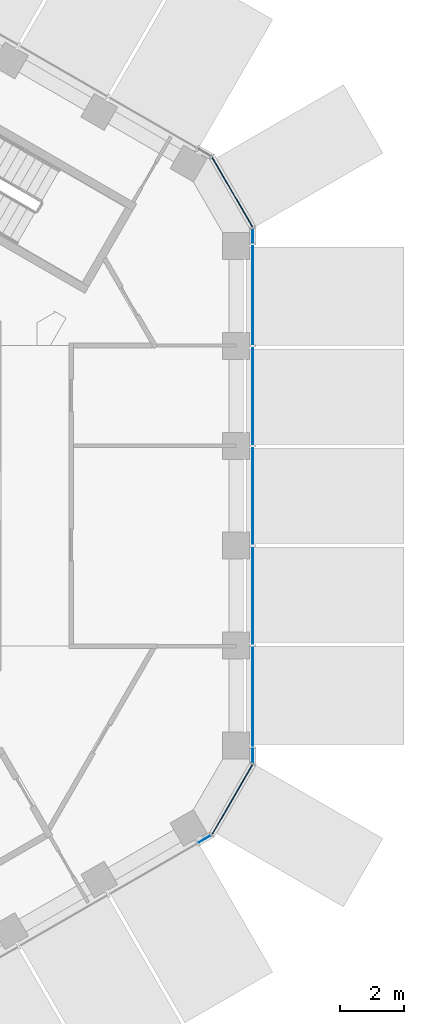
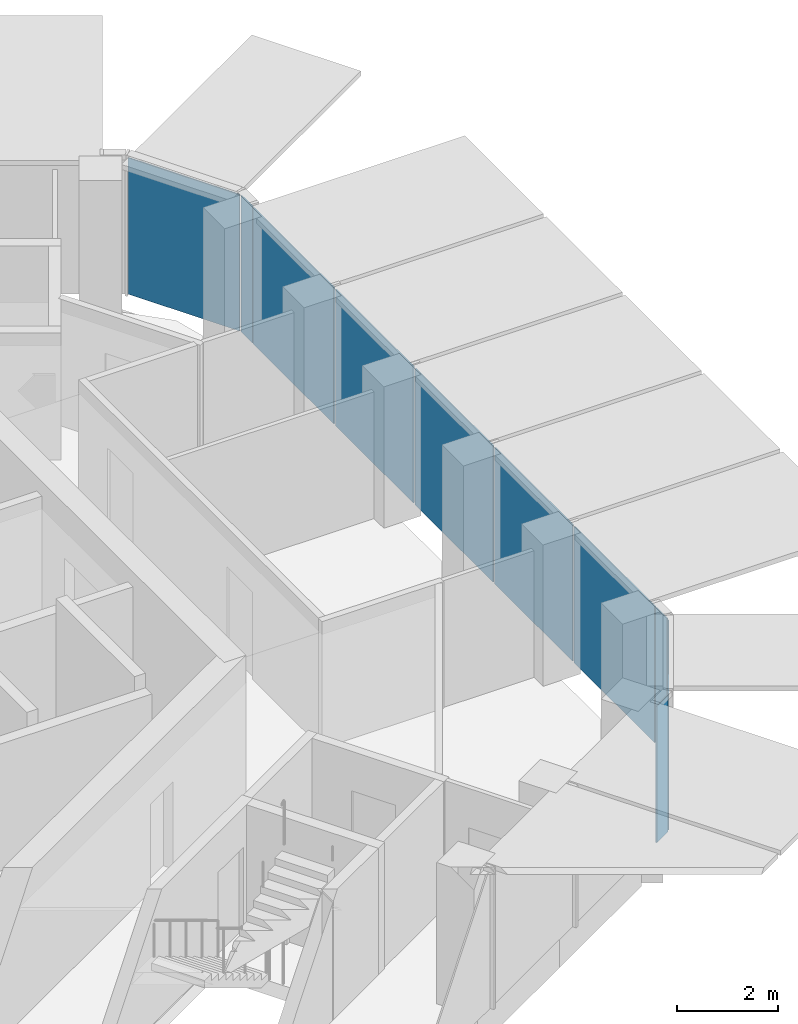
# One storey, part 10 of 17: 10 plates, 3 elements without a shape of their own.
"""IFC4 building model written with IfcOpenShell, lengths in metres."""

from ifc_helpers import new_model, si_unit, direction, frame, origin, origin_2d, place, context, subcontext, project, spatial, rectangle, extrude, material, layer, layer_set, type_object, element, aggregate, save


model = new_model("IFC4")

# Units and contexts
model_context = context("Model", 3, precision=1e-05, world=origin(), true_north=direction((0.0, 1.0)))
body_context = subcontext(model_context, "Body", "Model", "MODEL_VIEW")
ifc_project = project(units=[si_unit("LENGTHUNIT", "METRE"), si_unit("AREAUNIT", "SQUARE_METRE"), si_unit("VOLUMEUNIT", "CUBIC_METRE"), si_unit("PLANEANGLEUNIT", "RADIAN"), si_unit("MASSUNIT", "GRAM", prefix="KILO")], contexts=[model_context])

# Site, building, storey
site_placement = place(None, origin())
site = spatial("IfcSite", under=ifc_project, at=site_placement, CompositionType="ELEMENT")
building_placement = place(site_placement, origin())
building = spatial("IfcBuilding", under=site, at=building_placement, Name="Ayvan Gate Tower", CompositionType="ELEMENT")
storey_placement = place(building_placement, frame((0.0, 0.0, 225.699951171875)))
storey = spatial("IfcBuildingStorey", under=building, at=storey_placement, Name="L60", CompositionType="ELEMENT", Elevation=225.699951171875)

# Curtain wall, plates
ifc_material_1 = material(Name="Bronze anodised aluminium", Category="aluminium")
ifc_layer_1 = layer(ifc_material_1, 0.199951171875)
ifc_layer_set_1 = layer_set([ifc_layer_1], Name="Bronze anodised aluminium")
curtain_wall_type_1 = type_object("IfcCurtainWallType", Name="Stick curtain wall CW-2", PredefinedType="NOTDEFINED", material=ifc_layer_set_1)
curtain_wall_1_placement = place(storey_placement, origin())
curtain_wall_1 = element("IfcCurtainWall", 1, at=curtain_wall_1_placement, inside=storey, type_object=curtain_wall_type_1, Name="Stick curtain wall CW-2 L60", PredefinedType="NOTDEFINED")
ifc_material_2 = material(Name="Clear low-iron laminated glass", Category="glass")
ifc_layer_2 = layer(ifc_material_2, 0.028076171875)
ifc_layer_set_2 = layer_set([ifc_layer_2], Name="Clear low-iron laminated glass")
plate_type_1 = type_object("IfcPlateType", Name="Stick curtain wall CW-2 glass panel", PredefinedType="CURTAIN_PANEL", material=ifc_layer_set_2)
plate_1_placement = place(storey_placement, frame((17.41259765625, -6.3291015625, 0.0), z_axis=(0.0, 0.0, 1.0), x_axis=(0.0, 1.0, 0.0)))
plate_1 = element("IfcPlate", 2, at=plate_1_placement, type_object=plate_type_1, Name="CW-2 glass panel 1", PredefinedType="CURTAIN_PANEL", context=body_context, shape_type="SweptSolid", body=[
    extrude(rectangle(XDim=3.172119140625, YDim=0.028076171875, at=origin_2d()), origin(), (0.0, 0.0, 1.0), 3.280029296875),
])
plate_2_placement = place(storey_placement, frame((17.41259765625, -3.138427734375, 0.0), z_axis=(0.0, 0.0, 1.0), x_axis=(0.0, 1.0, 0.0)))
plate_2 = element("IfcPlate", 3, at=plate_2_placement, type_object=plate_type_1, Name="CW-2 glass panel 2", PredefinedType="CURTAIN_PANEL", context=body_context, shape_type="SweptSolid", body=[
    extrude(rectangle(XDim=3.069091796875, YDim=0.028076171875, at=origin_2d()), origin(), (0.0, 0.0, 1.0), 3.280029296875),
])
plate_3_placement = place(storey_placement, frame((17.41259765625, 0.0, 0.0), z_axis=(0.0, 0.0, 1.0), x_axis=(0.0, 1.0, 0.0)))
plate_3 = element("IfcPlate", 4, at=plate_3_placement, type_object=plate_type_1, Name="CW-2 glass panel 3", PredefinedType="CURTAIN_PANEL", context=body_context, shape_type="SweptSolid", body=[
    extrude(rectangle(XDim=3.068115234375, YDim=0.028076171875, at=origin_2d()), origin(), (0.0, 0.0, 1.0), 3.280029296875),
])
plate_4_placement = place(storey_placement, frame((17.41259765625, 3.138427734375, 0.0), z_axis=(0.0, 0.0, 1.0), x_axis=(0.0, 1.0, 0.0)))
plate_4 = element("IfcPlate", 5, at=plate_4_placement, type_object=plate_type_1, Name="CW-2 glass panel 4", PredefinedType="CURTAIN_PANEL", context=body_context, shape_type="SweptSolid", body=[
    extrude(rectangle(XDim=3.069091796875, YDim=0.028076171875, at=origin_2d()), origin(), (0.0, 0.0, 1.0), 3.280029296875),
])
plate_5_placement = place(storey_placement, frame((17.41259765625, 6.3291015625, 0.0), z_axis=(0.0, 0.0, 1.0), x_axis=(0.0, 1.0, 0.0)))
plate_5 = element("IfcPlate", 6, at=plate_5_placement, type_object=plate_type_1, Name="CW-2 glass panel 5", PredefinedType="CURTAIN_PANEL", context=body_context, shape_type="SweptSolid", body=[
    extrude(rectangle(XDim=3.172119140625, YDim=0.028076171875, at=origin_2d()), origin(), (0.0, 0.0, 1.0), 3.280029296875),
])
aggregate(curtain_wall_1, [plate_1, plate_2, plate_3, plate_4, plate_5])

ifc_layer_3 = layer(ifc_material_1, 0.199951171875)
ifc_layer_set_3 = layer_set([ifc_layer_3], Name="Bronze anodised aluminium")
curtain_wall_type_2 = type_object("IfcCurtainWallType", Name="Stick curtain wall CW-6", PredefinedType="NOTDEFINED", material=ifc_layer_set_3)
curtain_wall_2_placement = place(storey_placement, origin())
curtain_wall_2 = element("IfcCurtainWall", 7, at=curtain_wall_2_placement, inside=storey, type_object=curtain_wall_type_2, Name="Stick curtain wall CW-6 L60", PredefinedType="NOTDEFINED")
ifc_layer_4 = layer(ifc_material_2, 0.028076171875)
ifc_layer_set_4 = layer_set([ifc_layer_4], Name="Clear low-iron laminated glass")
plate_type_2 = type_object("IfcPlateType", Name="Stick curtain wall CW-6 glass panel", PredefinedType="CURTAIN_PANEL", material=ifc_layer_set_4)
plate_6_placement = place(storey_placement, frame((15.90478515625, -10.78662109375, 0.0), z_axis=(0.0, 0.0, 1.0), x_axis=(0.866025403784, 0.5, 0.0)))
plate_6 = element("IfcPlate", 8, at=plate_6_placement, type_object=plate_type_2, Name="CW-6 glass panel 1", PredefinedType="CURTAIN_PANEL", context=body_context, shape_type="SweptSolid", body=[
    extrude(rectangle(XDim=0.449951171875, YDim=0.028076171875, at=origin_2d()), origin(), (0.0, 0.0, 1.0), 3.280029296875),
])
plate_7_placement = place(storey_placement, frame((16.766845703125, -9.543212890625, 0.0), z_axis=(0.0, 0.0, 1.0), x_axis=(0.5, 0.866025403784, 0.0)))
plate_7 = element("IfcPlate", 9, at=plate_7_placement, type_object=plate_type_2, Name="CW-6 glass panel 2", PredefinedType="CURTAIN_PANEL", context=body_context, shape_type="SweptSolid", body=[
    extrude(rectangle(XDim=2.532470703125, YDim=0.028076171875, at=origin_2d()), origin(), (0.0, 0.0, 1.0), 3.280029296875),
])
plate_8_placement = place(storey_placement, frame((17.41259765625, -8.175048828125, 0.0), z_axis=(0.0, 0.0, 1.0), x_axis=(0.0, 1.0, 0.0)))
plate_8 = element("IfcPlate", 10, at=plate_8_placement, type_object=plate_type_2, Name="CW-6 glass panel 3", PredefinedType="CURTAIN_PANEL", context=body_context, shape_type="SweptSolid", body=[
    extrude(rectangle(XDim=0.449951171875, YDim=0.028076171875, at=origin_2d()), origin(), (0.0, 0.0, 1.0), 3.280029296875),
])
aggregate(curtain_wall_2, [plate_6, plate_7, plate_8])

curtain_wall_3_placement = place(storey_placement, origin())
curtain_wall_3 = element("IfcCurtainWall", 11, at=curtain_wall_3_placement, inside=storey, type_object=curtain_wall_type_2, Name="Stick curtain wall CW-6 L60", PredefinedType="NOTDEFINED")
plate_9_placement = place(storey_placement, frame((17.41259765625, 8.175048828125, 0.0), z_axis=(0.0, 0.0, 1.0), x_axis=(0.0, 1.0, 0.0)))
plate_9 = element("IfcPlate", 12, at=plate_9_placement, type_object=plate_type_2, Name="CW-6 glass panel 1", PredefinedType="CURTAIN_PANEL", context=body_context, shape_type="SweptSolid", body=[
    extrude(rectangle(XDim=0.449951171875, YDim=0.028076171875, at=origin_2d()), origin(), (0.0, 0.0, 1.0), 3.280029296875),
])
plate_10_placement = place(storey_placement, frame((16.766845703125, 9.543212890625, 0.0), z_axis=(0.0, 0.0, 1.0), x_axis=(-0.5, 0.866025403784, 0.0)))
plate_10 = element("IfcPlate", 13, at=plate_10_placement, type_object=plate_type_2, Name="CW-6 glass panel 2", PredefinedType="CURTAIN_PANEL", context=body_context, shape_type="SweptSolid", body=[
    extrude(rectangle(XDim=2.532470703125, YDim=0.028076171875, at=origin_2d()), origin(), (0.0, 0.0, 1.0), 3.280029296875),
])
aggregate(curtain_wall_3, [plate_9, plate_10])

save(model, "model.ifc")
